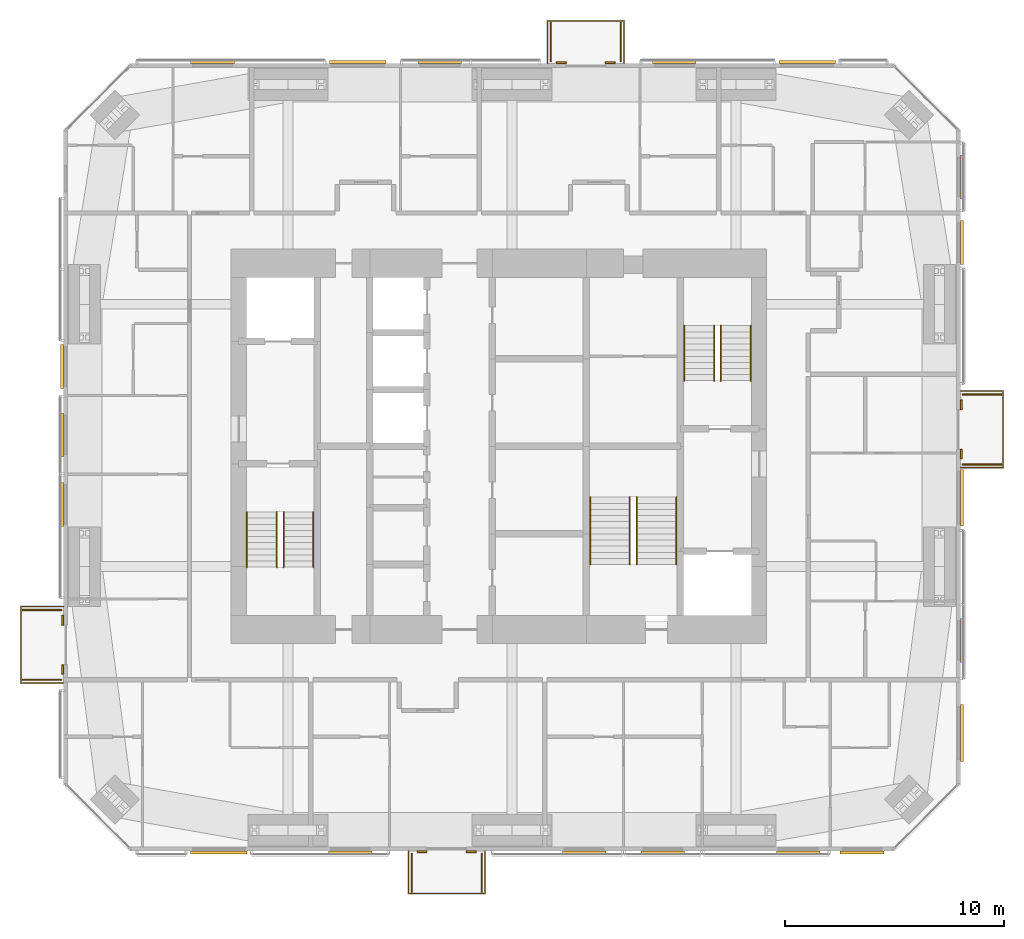
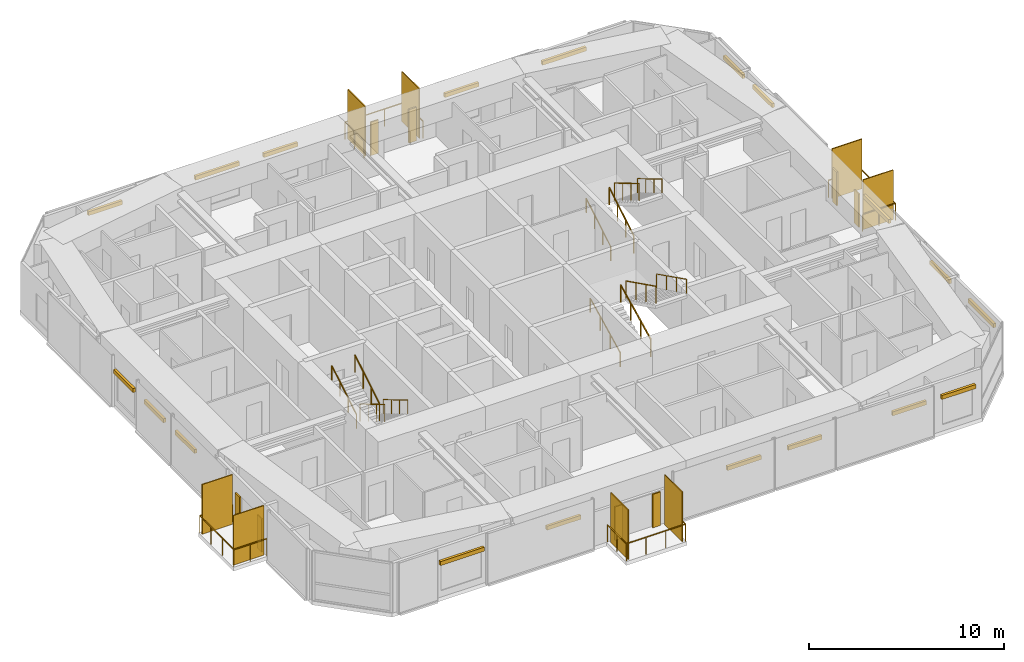
# One storey, part 23 of 23: 35 shading devices, 16 railings.
"""IFC4 building model written with IfcOpenShell, lengths in metres."""

from ifc_helpers import new_model, si_unit, direction, frame, origin, origin_2d, place, context, subcontext, project, spatial, rectangle, circle, extrude, material, layer, layer_set, constituent, constituent_set, type_object, element, save


model = new_model("IFC4")

# Units and contexts
model_context = context("Model", 3, precision=1e-05, world=origin(), true_north=direction((0.0, 1.0)))
body_context = subcontext(model_context, "Body", "Model", "MODEL_VIEW")
ifc_project = project(units=[si_unit("LENGTHUNIT", "METRE"), si_unit("AREAUNIT", "SQUARE_METRE"), si_unit("VOLUMEUNIT", "CUBIC_METRE"), si_unit("PLANEANGLEUNIT", "RADIAN"), si_unit("MASSUNIT", "GRAM", prefix="KILO")], contexts=[model_context])

# Site, building, storey
site_placement = place(None, origin())
site = spatial("IfcSite", under=ifc_project, at=site_placement, CompositionType="ELEMENT")
building_placement = place(site_placement, origin())
building = spatial("IfcBuilding", under=site, at=building_placement, Name="Jalousie Tower", CompositionType="ELEMENT")
storey_placement = place(building_placement, frame((0.0, 0.0, 187.85009765625)))
storey = spatial("IfcBuildingStorey", under=building, at=storey_placement, Name="L51", CompositionType="ELEMENT", Elevation=187.85009765625)

# Shading devices
ifc_material_1 = material(Name="Aluminium impact-rated louvred storm shutter", Category="aluminium")
shading_device_type_1 = type_object("IfcShadingDeviceType", Name="BI-FOLD STORM SHUTTER 900x2100", PredefinedType="SHUTTER", material=ifc_material_1)
for number, where, z_axis, x_axis, name in (
    (1, (28.387451171875, -0.0400390625, -0.000244140625), (0.0, 0.0, 1.0), (1.0, 0.0, 0.0), "Balcony storm shutter L51"),
    (2, (30.637451171875, -0.0400390625, -0.000244140625), (0.0, 0.0, 1.0), (1.0, 0.0, 0.0), "Balcony storm shutter L51"),
    (3, (53.0400390625, 18.14990234375, -0.000244140625), (0.0, 0.0, 1.0), (0.0, 1.0, 0.0), "Balcony storm shutter L51"),
    (4, (53.0400390625, 20.39990234375, -0.000244140625), (0.0, 0.0, 1.0), (0.0, 1.0, 0.0), "Balcony storm shutter L51"),
    (5, (37.0, 36.0400390625, -0.000244140625), (0.0, 0.0, 1.0), (-1.0, 0.0, 0.0), "Balcony storm shutter L51"),
    (6, (34.75, 36.0400390625, -0.000244140625), (0.0, 0.0, 1.0), (-1.0, 0.0, 0.0), "Balcony storm shutter L51"),
    (7, (11.9599609375, 10.550048828125, -0.000244140625), (0.0, 0.0, 1.0), (0.0, -1.0, 0.0), "Balcony storm shutter L51"),
    (8, (11.9599609375, 8.300048828125, -0.000244140625), (0.0, 0.0, 1.0), (0.0, -1.0, 0.0), "Balcony storm shutter L51"),
):
    element("IfcShadingDevice", number, at=place(storey_placement, frame(where, z_axis=z_axis, x_axis=x_axis)), inside=storey, type_object=shading_device_type_1, Name=name, PredefinedType="SHUTTER", context=body_context, shape_type="SweptSolid", body=[
        extrude(rectangle(XDim=0.449951171875, YDim=0.080078125, at=origin_2d()), origin(), (0.0, 0.0, 1.0), 2.10009765625),
    ])

# Railings
ifc_material_2 = material(Name="Powder-coated aluminium fretwork", Category="aluminium")
railing_type_1 = type_object("IfcRailingType", Name="FRETWORK BALUSTRADE 1100", PredefinedType="BALUSTRADE", material=ifc_material_2)
railing_1_placement = place(storey_placement, frame((27.762451171875, 0.0, 0.0)))
element("IfcRailing", 9, at=railing_1_placement, inside=storey, type_object=railing_type_1, Name="Balcony fretwork balustrade L51", PredefinedType="BALUSTRADE", context=body_context, shape_type="SweptSolid", body=[
    extrude(rectangle(XDim=0.048095703125, YDim=0.048095703125, at=origin_2d()), frame((0.0, 0.0, 1.076171875), z_axis=(0.0, -1.0, 0.0), x_axis=(1.0, 0.0, 0.0)), (0.0, 0.0, 1.0), 1.949951171875),
    extrude(rectangle(XDim=0.048095703125, YDim=0.048095703125, at=origin_2d()), frame((0.0, -1.949951171875, 1.076171875), z_axis=(1.0, 0.0, 0.0), x_axis=(0.0, 1.0, 0.0)), (0.0, 0.0, 1.0), 3.5),
    extrude(rectangle(XDim=0.048095703125, YDim=0.048095703125, at=origin_2d()), frame((3.5, -1.949951171875, 1.076171875), z_axis=(0.0, 1.0, 0.0), x_axis=(-1.0, 0.0, 0.0)), (0.0, 0.0, 1.0), 1.949951171875),
    extrude(circle(Radius=0.02099609375, at=origin_2d()), origin(), (0.0, 0.0, 1.0), 1.052001953125),
    extrude(circle(Radius=0.02099609375, at=origin_2d()), frame((0.0, -0.97509765625, 0.0)), (0.0, 0.0, 1.0), 1.052001953125),
    extrude(circle(Radius=0.02099609375, at=origin_2d()), frame((0.0, -1.949951171875, 0.0)), (0.0, 0.0, 1.0), 1.052001953125),
    extrude(circle(Radius=0.02099609375, at=origin_2d()), frame((1.166748046875, -1.949951171875, 0.0)), (0.0, 0.0, 1.0), 1.052001953125),
    extrude(circle(Radius=0.02099609375, at=origin_2d()), frame((2.333251953125, -1.949951171875, 0.0)), (0.0, 0.0, 1.0), 1.052001953125),
    extrude(circle(Radius=0.02099609375, at=origin_2d()), frame((3.5, -1.949951171875, 0.0)), (0.0, 0.0, 1.0), 1.052001953125),
    extrude(circle(Radius=0.02099609375, at=origin_2d()), frame((3.5, -0.97509765625, 0.0)), (0.0, 0.0, 1.0), 1.052001953125),
    extrude(circle(Radius=0.02099609375, at=origin_2d()), frame((3.5, 0.0, 0.0)), (0.0, 0.0, 1.0), 1.052001953125),
])
railing_2_placement = place(storey_placement, frame((53.0, 17.52490234375, 0.0)))
element("IfcRailing", 10, at=railing_2_placement, inside=storey, type_object=railing_type_1, Name="Balcony fretwork balustrade L51", PredefinedType="BALUSTRADE", context=body_context, shape_type="SweptSolid", body=[
    extrude(rectangle(XDim=0.048095703125, YDim=0.048095703125, at=origin_2d()), frame((0.0, 0.0, 1.076171875), z_axis=(1.0, 0.0, 0.0), x_axis=(0.0, 1.0, 0.0)), (0.0, 0.0, 1.0), 1.949951171875),
    extrude(rectangle(XDim=0.048095703125, YDim=0.048095703125, at=origin_2d()), frame((1.949951171875, 0.0, 1.076171875), z_axis=(0.0, 1.0, 0.0), x_axis=(-1.0, 0.0, 0.0)), (0.0, 0.0, 1.0), 3.5),
    extrude(rectangle(XDim=0.048095703125, YDim=0.048095703125, at=origin_2d()), frame((1.949951171875, 3.5, 1.076171875), z_axis=(-1.0, 0.0, 0.0), x_axis=(0.0, -1.0, 0.0)), (0.0, 0.0, 1.0), 1.949951171875),
    extrude(circle(Radius=0.02099609375, at=origin_2d()), origin(), (0.0, 0.0, 1.0), 1.052001953125),
    extrude(circle(Radius=0.02099609375, at=origin_2d()), frame((0.97509765625, 0.0, 0.0)), (0.0, 0.0, 1.0), 1.052001953125),
    extrude(circle(Radius=0.02099609375, at=origin_2d()), frame((1.949951171875, 0.0, 0.0)), (0.0, 0.0, 1.0), 1.052001953125),
    extrude(circle(Radius=0.02099609375, at=origin_2d()), frame((1.949951171875, 1.166748046875, 0.0)), (0.0, 0.0, 1.0), 1.052001953125),
    extrude(circle(Radius=0.02099609375, at=origin_2d()), frame((1.949951171875, 2.333251953125, 0.0)), (0.0, 0.0, 1.0), 1.052001953125),
    extrude(circle(Radius=0.02099609375, at=origin_2d()), frame((1.949951171875, 3.5, 0.0)), (0.0, 0.0, 1.0), 1.052001953125),
    extrude(circle(Radius=0.02099609375, at=origin_2d()), frame((0.97509765625, 3.5, 0.0)), (0.0, 0.0, 1.0), 1.052001953125),
    extrude(circle(Radius=0.02099609375, at=origin_2d()), frame((0.0, 3.5, 0.0)), (0.0, 0.0, 1.0), 1.052001953125),
])
railing_3_placement = place(storey_placement, frame((37.625, 36.0, 0.0)))
element("IfcRailing", 11, at=railing_3_placement, inside=storey, type_object=railing_type_1, Name="Balcony fretwork balustrade L51", PredefinedType="BALUSTRADE", context=body_context, shape_type="SweptSolid", body=[
    extrude(rectangle(XDim=0.048095703125, YDim=0.048095703125, at=origin_2d()), frame((0.0, 0.0, 1.076171875), z_axis=(0.0, 1.0, 0.0), x_axis=(-1.0, 0.0, 0.0)), (0.0, 0.0, 1.0), 1.949951171875),
    extrude(rectangle(XDim=0.048095703125, YDim=0.048095703125, at=origin_2d()), frame((0.0, 1.949951171875, 1.076171875), z_axis=(-1.0, 0.0, 0.0), x_axis=(0.0, -1.0, 0.0)), (0.0, 0.0, 1.0), 3.5),
    extrude(rectangle(XDim=0.048095703125, YDim=0.048095703125, at=origin_2d()), frame((-3.5, 1.949951171875, 1.076171875), z_axis=(0.0, -1.0, 0.0), x_axis=(1.0, 0.0, 0.0)), (0.0, 0.0, 1.0), 1.949951171875),
    extrude(circle(Radius=0.02099609375, at=origin_2d()), origin(), (0.0, 0.0, 1.0), 1.052001953125),
    extrude(circle(Radius=0.02099609375, at=origin_2d()), frame((0.0, 0.97509765625, 0.0)), (0.0, 0.0, 1.0), 1.052001953125),
    extrude(circle(Radius=0.02099609375, at=origin_2d()), frame((0.0, 1.949951171875, 0.0)), (0.0, 0.0, 1.0), 1.052001953125),
    extrude(circle(Radius=0.02099609375, at=origin_2d()), frame((-1.166748046875, 1.949951171875, 0.0)), (0.0, 0.0, 1.0), 1.052001953125),
    extrude(circle(Radius=0.02099609375, at=origin_2d()), frame((-2.333251953125, 1.949951171875, 0.0)), (0.0, 0.0, 1.0), 1.052001953125),
    extrude(circle(Radius=0.02099609375, at=origin_2d()), frame((-3.5, 1.949951171875, 0.0)), (0.0, 0.0, 1.0), 1.052001953125),
    extrude(circle(Radius=0.02099609375, at=origin_2d()), frame((-3.5, 0.97509765625, 0.0)), (0.0, 0.0, 1.0), 1.052001953125),
    extrude(circle(Radius=0.02099609375, at=origin_2d()), frame((-3.5, 0.0, 0.0)), (0.0, 0.0, 1.0), 1.052001953125),
])
railing_4_placement = place(storey_placement, frame((12.0, 11.175048828125, 0.0)))
element("IfcRailing", 12, at=railing_4_placement, inside=storey, type_object=railing_type_1, Name="Balcony fretwork balustrade L51", PredefinedType="BALUSTRADE", context=body_context, shape_type="SweptSolid", body=[
    extrude(rectangle(XDim=0.048095703125, YDim=0.048095703125, at=origin_2d()), frame((0.0, 0.0, 1.076171875), z_axis=(-1.0, 0.0, 0.0), x_axis=(0.0, -1.0, 0.0)), (0.0, 0.0, 1.0), 1.949951171875),
    extrude(rectangle(XDim=0.048095703125, YDim=0.048095703125, at=origin_2d()), frame((-1.949951171875, 0.0, 1.076171875), z_axis=(0.0, -1.0, 0.0), x_axis=(1.0, 0.0, 0.0)), (0.0, 0.0, 1.0), 3.5),
    extrude(rectangle(XDim=0.048095703125, YDim=0.048095703125, at=origin_2d()), frame((-1.949951171875, -3.5, 1.076171875), z_axis=(1.0, 0.0, 0.0), x_axis=(0.0, 1.0, 0.0)), (0.0, 0.0, 1.0), 1.949951171875),
    extrude(circle(Radius=0.02099609375, at=origin_2d()), origin(), (0.0, 0.0, 1.0), 1.052001953125),
    extrude(circle(Radius=0.02099609375, at=origin_2d()), frame((-0.97509765625, 0.0, 0.0)), (0.0, 0.0, 1.0), 1.052001953125),
    extrude(circle(Radius=0.02099609375, at=origin_2d()), frame((-1.949951171875, 0.0, 0.0)), (0.0, 0.0, 1.0), 1.052001953125),
    extrude(circle(Radius=0.02099609375, at=origin_2d()), frame((-1.949951171875, -1.166748046875, 0.0)), (0.0, 0.0, 1.0), 1.052001953125),
    extrude(circle(Radius=0.02099609375, at=origin_2d()), frame((-1.949951171875, -2.333251953125, 0.0)), (0.0, 0.0, 1.0), 1.052001953125),
    extrude(circle(Radius=0.02099609375, at=origin_2d()), frame((-1.949951171875, -3.5, 0.0)), (0.0, 0.0, 1.0), 1.052001953125),
    extrude(circle(Radius=0.02099609375, at=origin_2d()), frame((-0.97509765625, -3.5, 0.0)), (0.0, 0.0, 1.0), 1.052001953125),
    extrude(circle(Radius=0.02099609375, at=origin_2d()), frame((0.0, -3.5, 0.0)), (0.0, 0.0, 1.0), 1.052001953125),
])

# Shading devices
ifc_material_3 = material(Name="Powder-coated aluminium louvres", Category="aluminium")
ifc_layer = layer(ifc_material_3, 0.06005859375)
ifc_layer_set = layer_set([ifc_layer], Name="Powder-coated aluminium louvres")
shading_device_type_2 = type_object("IfcShadingDeviceType", Name="JALOUSIE LOUVRE SCREEN", PredefinedType="JALOUSIE", material=ifc_layer_set)
for number, where, z_axis, x_axis, name in (
    (13, (27.91259765625, -1.0, 0.0), (0.0, 0.0, 1.0), (1.0, 0.0, 0.0), "Jalousie louvre screen L51"),
    (14, (31.112548828125, -1.0, 0.0), (0.0, 0.0, 1.0), (1.0, 0.0, 0.0), "Jalousie louvre screen L51"),
    (15, (54.0, 17.675048828125, 0.0), (0.0, 0.0, 1.0), (0.0, 1.0, 0.0), "Jalousie louvre screen L51"),
    (16, (54.0, 20.875, 0.0), (0.0, 0.0, 1.0), (0.0, 1.0, 0.0), "Jalousie louvre screen L51"),
    (17, (37.47509765625, 37.0, 0.0), (0.0, 0.0, 1.0), (-1.0, 0.0, 0.0), "Jalousie louvre screen L51"),
    (18, (34.27490234375, 37.0, 0.0), (0.0, 0.0, 1.0), (-1.0, 0.0, 0.0), "Jalousie louvre screen L51"),
    (19, (11.0, 11.02490234375, 0.0), (0.0, 0.0, 1.0), (0.0, -1.0, 0.0), "Jalousie louvre screen L51"),
    (20, (11.0, 7.824951171875, 0.0), (0.0, 0.0, 1.0), (0.0, -1.0, 0.0), "Jalousie louvre screen L51"),
):
    element("IfcShadingDevice", number, at=place(storey_placement, frame(where, z_axis=z_axis, x_axis=x_axis)), inside=storey, type_object=shading_device_type_2, Name=name, PredefinedType="JALOUSIE", context=body_context, shape_type="SweptSolid", body=[
        extrude(rectangle(XDim=0.06005859375, YDim=1.800048828125, at=origin_2d()), origin(), (0.0, 0.0, 1.0), 3.110107421875),
    ])

# Railings
ifc_material_4 = material(Name="Steel ASTM A500 Grade C", Category="steel")
ifc_constituent_1 = constituent(ifc_material_4, Name="Body")
ifc_material_5 = material(Name="Hot-dip galvanised zinc coating")
ifc_constituent_2 = constituent(ifc_material_5, Name="Finish")
ifc_constituent_set_1 = constituent_set(constituents=[ifc_constituent_1, ifc_constituent_2])
railing_type_2 = type_object("IfcRailingType", Name="STAIR GUARD 1100", PredefinedType="GUARDRAIL", material=ifc_constituent_set_1)
railing_5_placement = place(storey_placement, frame((22.054931640625, 15.49755859375, 0.16748046875)))
element("IfcRailing", 21, at=railing_5_placement, inside=storey, type_object=railing_type_2, Name="Exit stair A guard L51 flight 1", PredefinedType="GUARDRAIL", context=body_context, shape_type="SweptSolid", body=[
    extrude(rectangle(XDim=0.048095703125, YDim=0.048095703125, at=origin_2d()), frame((0.0, 0.0, 1.076171875), z_axis=(0.0, -0.858196387827, 0.513321497621), x_axis=(1.0, 0.0, 0.0)), (0.0, 0.0, 1.0), 2.9365234375),
    extrude(circle(Radius=0.02099609375, at=origin_2d()), origin(), (0.0, 0.0, 1.0), 1.052001953125),
    extrude(circle(Radius=0.02099609375, at=origin_2d()), frame((0.0, -0.840087890625, 0.50244140625)), (0.0, 0.0, 1.0), 1.052001953125),
    extrude(circle(Radius=0.02099609375, at=origin_2d()), frame((0.0, -1.679931640625, 1.0048828125)), (0.0, 0.0, 1.0), 1.052001953125),
    extrude(circle(Radius=0.02099609375, at=origin_2d()), frame((0.0, -2.52001953125, 1.50732421875)), (0.0, 0.0, 1.0), 1.052001953125),
])
railing_6_placement = place(storey_placement, frame((21.7451171875, 12.9775390625, 1.84228515625)))
element("IfcRailing", 22, at=railing_6_placement, inside=storey, type_object=railing_type_2, Name="Exit stair A guard L51 flight 2", PredefinedType="GUARDRAIL", context=body_context, shape_type="SweptSolid", body=[
    extrude(rectangle(XDim=0.048095703125, YDim=0.048095703125, at=origin_2d()), frame((0.0, 0.0, 1.076171875), z_axis=(0.0, 0.858159760407, 0.513382728203), x_axis=(-1.0, 0.0, 0.0)), (0.0, 0.0, 1.0), 2.9365234375),
    extrude(circle(Radius=0.02099609375, at=origin_2d()), origin(), (0.0, 0.0, 1.0), 1.052001953125),
    extrude(circle(Radius=0.02099609375, at=origin_2d()), frame((0.0, 0.840087890625, 0.50244140625)), (0.0, 0.0, 1.0), 1.052001953125),
    extrude(circle(Radius=0.02099609375, at=origin_2d()), frame((0.0, 1.679931640625, 1.005126953125)), (0.0, 0.0, 1.0), 1.052001953125),
    extrude(circle(Radius=0.02099609375, at=origin_2d()), frame((0.0, 2.52001953125, 1.507568359375)), (0.0, 0.0, 1.0), 1.052001953125),
])
railing_7_placement = place(storey_placement, frame((41.7451171875, 21.50244140625, 0.16748046875)))
element("IfcRailing", 23, at=railing_7_placement, inside=storey, type_object=railing_type_2, Name="Exit stair B guard L51 flight 1", PredefinedType="GUARDRAIL", context=body_context, shape_type="SweptSolid", body=[
    extrude(rectangle(XDim=0.048095703125, YDim=0.048095703125, at=origin_2d()), frame((0.0, 0.0, 1.076171875), z_axis=(0.0, 0.858196387827, 0.513321497621), x_axis=(-1.0, 0.0, 0.0)), (0.0, 0.0, 1.0), 2.9365234375),
    extrude(circle(Radius=0.02099609375, at=origin_2d()), origin(), (0.0, 0.0, 1.0), 1.052001953125),
    extrude(circle(Radius=0.02099609375, at=origin_2d()), frame((0.0, 0.840087890625, 0.50244140625)), (0.0, 0.0, 1.0), 1.052001953125),
    extrude(circle(Radius=0.02099609375, at=origin_2d()), frame((0.0, 1.679931640625, 1.0048828125)), (0.0, 0.0, 1.0), 1.052001953125),
    extrude(circle(Radius=0.02099609375, at=origin_2d()), frame((0.0, 2.52001953125, 1.50732421875)), (0.0, 0.0, 1.0), 1.052001953125),
])
railing_8_placement = place(storey_placement, frame((42.054931640625, 24.0224609375, 1.84228515625)))
element("IfcRailing", 24, at=railing_8_placement, inside=storey, type_object=railing_type_2, Name="Exit stair B guard L51 flight 2", PredefinedType="GUARDRAIL", context=body_context, shape_type="SweptSolid", body=[
    extrude(rectangle(XDim=0.048095703125, YDim=0.048095703125, at=origin_2d()), frame((0.0, 0.0, 1.076171875), z_axis=(0.0, -0.858159760407, 0.513382728203), x_axis=(1.0, 0.0, 0.0)), (0.0, 0.0, 1.0), 2.9365234375),
    extrude(circle(Radius=0.02099609375, at=origin_2d()), origin(), (0.0, 0.0, 1.0), 1.052001953125),
    extrude(circle(Radius=0.02099609375, at=origin_2d()), frame((0.0, -0.840087890625, 0.50244140625)), (0.0, 0.0, 1.0), 1.052001953125),
    extrude(circle(Radius=0.02099609375, at=origin_2d()), frame((0.0, -1.679931640625, 1.005126953125)), (0.0, 0.0, 1.0), 1.052001953125),
    extrude(circle(Radius=0.02099609375, at=origin_2d()), frame((0.0, -2.52001953125, 1.507568359375)), (0.0, 0.0, 1.0), 1.052001953125),
])
railing_9_placement = place(storey_placement, frame((37.89501953125, 13.097412109375, 0.139404296875)))
element("IfcRailing", 25, at=railing_9_placement, inside=storey, type_object=railing_type_2, Name="Exit stair C guard L51 flight 1", PredefinedType="GUARDRAIL", context=body_context, shape_type="SweptSolid", body=[
    extrude(rectangle(XDim=0.048095703125, YDim=0.048095703125, at=origin_2d()), frame((0.0, 0.0, 1.076171875), z_axis=(0.0, 0.894965676997, 0.446134998624), x_axis=(-1.0, 0.0, 0.0)), (0.0, 0.0, 1.0), 3.441650390625),
    extrude(circle(Radius=0.02099609375, at=origin_2d()), origin(), (0.0, 0.0, 1.0), 1.052001953125),
    extrude(circle(Radius=0.02099609375, at=origin_2d()), frame((0.0, 1.026611328125, 0.51171875)), (0.0, 0.0, 1.0), 1.052001953125),
    extrude(circle(Radius=0.02099609375, at=origin_2d()), frame((0.0, 2.053466796875, 1.023681640625)), (0.0, 0.0, 1.0), 1.052001953125),
    extrude(circle(Radius=0.02099609375, at=origin_2d()), frame((0.0, 3.080078125, 1.535400390625)), (0.0, 0.0, 1.0), 1.052001953125),
])
railing_10_placement = place(storey_placement, frame((38.205078125, 16.177490234375, 1.814453125)))
element("IfcRailing", 26, at=railing_10_placement, inside=storey, type_object=railing_type_2, Name="Exit stair C guard L51 flight 2", PredefinedType="GUARDRAIL", context=body_context, shape_type="SweptSolid", body=[
    extrude(rectangle(XDim=0.048095703125, YDim=0.048095703125, at=origin_2d()), frame((0.0, 0.0, 1.076171875), z_axis=(0.0, -0.894965676997, 0.446134998624), x_axis=(1.0, 0.0, 0.0)), (0.0, 0.0, 1.0), 3.441650390625),
    extrude(circle(Radius=0.02099609375, at=origin_2d()), origin(), (0.0, 0.0, 1.0), 1.052001953125),
    extrude(circle(Radius=0.02099609375, at=origin_2d()), frame((0.0, -1.026611328125, 0.51171875)), (0.0, 0.0, 1.0), 1.052001953125),
    extrude(circle(Radius=0.02099609375, at=origin_2d()), frame((0.0, -2.053466796875, 1.023681640625)), (0.0, 0.0, 1.0), 1.052001953125),
    extrude(circle(Radius=0.02099609375, at=origin_2d()), frame((0.0, -3.080078125, 1.535400390625)), (0.0, 0.0, 1.0), 1.052001953125),
])
ifc_material_6 = material(Name="Steel ASTM A500 Grade C", Category="steel")
ifc_constituent_3 = constituent(ifc_material_6, Name="Body")
ifc_material_7 = material(Name="Hot-dip galvanised zinc coating")
ifc_constituent_4 = constituent(ifc_material_7, Name="Finish")
ifc_constituent_set_2 = constituent_set(constituents=[ifc_constituent_3, ifc_constituent_4])
railing_type_3 = type_object("IfcRailingType", Name="STAIR HANDRAIL 900", PredefinedType="HANDRAIL", material=ifc_constituent_set_2)
railing_11_placement = place(storey_placement, frame((23.419921875, 15.49755859375, 0.16748046875)))
element("IfcRailing", 27, at=railing_11_placement, inside=storey, type_object=railing_type_3, Name="Exit stair A handrail L51 flight 1", PredefinedType="HANDRAIL", context=body_context, shape_type="SweptSolid", body=[
    extrude(circle(Radius=0.02392578125, at=origin_2d()), frame((0.0, 0.0, 0.8759765625), z_axis=(0.0, -0.858196387827, 0.513321497621), x_axis=(1.0, 0.0, 0.0)), (0.0, 0.0, 1.0), 2.9365234375),
    extrude(circle(Radius=0.02099609375, at=origin_2d()), origin(), (0.0, 0.0, 1.0), 0.851806640625),
    extrude(circle(Radius=0.02099609375, at=origin_2d()), frame((0.0, -0.840087890625, 0.50244140625)), (0.0, 0.0, 1.0), 0.851806640625),
    extrude(circle(Radius=0.02099609375, at=origin_2d()), frame((0.0, -1.679931640625, 1.0048828125)), (0.0, 0.0, 1.0), 0.851806640625),
    extrude(circle(Radius=0.02099609375, at=origin_2d()), frame((0.0, -2.52001953125, 1.50732421875)), (0.0, 0.0, 1.0), 0.851806640625),
])
railing_12_placement = place(storey_placement, frame((20.3798828125, 12.9775390625, 1.84228515625)))
element("IfcRailing", 28, at=railing_12_placement, inside=storey, type_object=railing_type_3, Name="Exit stair A handrail L51 flight 2", PredefinedType="HANDRAIL", context=body_context, shape_type="SweptSolid", body=[
    extrude(circle(Radius=0.02392578125, at=origin_2d()), frame((0.0, 0.0, 0.8759765625), z_axis=(0.0, 0.858159760407, 0.513382728203), x_axis=(-1.0, 0.0, 0.0)), (0.0, 0.0, 1.0), 2.9365234375),
    extrude(circle(Radius=0.02099609375, at=origin_2d()), origin(), (0.0, 0.0, 1.0), 0.851806640625),
    extrude(circle(Radius=0.02099609375, at=origin_2d()), frame((0.0, 0.840087890625, 0.50244140625)), (0.0, 0.0, 1.0), 0.851806640625),
    extrude(circle(Radius=0.02099609375, at=origin_2d()), frame((0.0, 1.679931640625, 1.005126953125)), (0.0, 0.0, 1.0), 0.851806640625),
    extrude(circle(Radius=0.02099609375, at=origin_2d()), frame((0.0, 2.52001953125, 1.507568359375)), (0.0, 0.0, 1.0), 0.851806640625),
])
railing_13_placement = place(storey_placement, frame((40.3798828125, 21.50244140625, 0.16748046875)))
element("IfcRailing", 29, at=railing_13_placement, inside=storey, type_object=railing_type_3, Name="Exit stair B handrail L51 flight 1", PredefinedType="HANDRAIL", context=body_context, shape_type="SweptSolid", body=[
    extrude(circle(Radius=0.02392578125, at=origin_2d()), frame((0.0, 0.0, 0.8759765625), z_axis=(0.0, 0.858196387827, 0.513321497621), x_axis=(-1.0, 0.0, 0.0)), (0.0, 0.0, 1.0), 2.9365234375),
    extrude(circle(Radius=0.02099609375, at=origin_2d()), origin(), (0.0, 0.0, 1.0), 0.851806640625),
    extrude(circle(Radius=0.02099609375, at=origin_2d()), frame((0.0, 0.840087890625, 0.50244140625)), (0.0, 0.0, 1.0), 0.851806640625),
    extrude(circle(Radius=0.02099609375, at=origin_2d()), frame((0.0, 1.679931640625, 1.0048828125)), (0.0, 0.0, 1.0), 0.851806640625),
    extrude(circle(Radius=0.02099609375, at=origin_2d()), frame((0.0, 2.52001953125, 1.50732421875)), (0.0, 0.0, 1.0), 0.851806640625),
])
railing_14_placement = place(storey_placement, frame((43.419921875, 24.0224609375, 1.84228515625)))
element("IfcRailing", 30, at=railing_14_placement, inside=storey, type_object=railing_type_3, Name="Exit stair B handrail L51 flight 2", PredefinedType="HANDRAIL", context=body_context, shape_type="SweptSolid", body=[
    extrude(circle(Radius=0.02392578125, at=origin_2d()), frame((0.0, 0.0, 0.8759765625), z_axis=(0.0, -0.858159760407, 0.513382728203), x_axis=(1.0, 0.0, 0.0)), (0.0, 0.0, 1.0), 2.9365234375),
    extrude(circle(Radius=0.02099609375, at=origin_2d()), origin(), (0.0, 0.0, 1.0), 0.851806640625),
    extrude(circle(Radius=0.02099609375, at=origin_2d()), frame((0.0, -0.840087890625, 0.50244140625)), (0.0, 0.0, 1.0), 0.851806640625),
    extrude(circle(Radius=0.02099609375, at=origin_2d()), frame((0.0, -1.679931640625, 1.005126953125)), (0.0, 0.0, 1.0), 0.851806640625),
    extrude(circle(Radius=0.02099609375, at=origin_2d()), frame((0.0, -2.52001953125, 1.507568359375)), (0.0, 0.0, 1.0), 0.851806640625),
])
railing_15_placement = place(storey_placement, frame((36.080078125, 13.097412109375, 0.139404296875)))
element("IfcRailing", 31, at=railing_15_placement, inside=storey, type_object=railing_type_3, Name="Exit stair C handrail L51 flight 1", PredefinedType="HANDRAIL", context=body_context, shape_type="SweptSolid", body=[
    extrude(circle(Radius=0.02392578125, at=origin_2d()), frame((0.0, 0.0, 0.8759765625), z_axis=(0.0, 0.894965676997, 0.446134998624), x_axis=(-1.0, 0.0, 0.0)), (0.0, 0.0, 1.0), 3.441650390625),
    extrude(circle(Radius=0.02099609375, at=origin_2d()), origin(), (0.0, 0.0, 1.0), 0.851806640625),
    extrude(circle(Radius=0.02099609375, at=origin_2d()), frame((0.0, 1.026611328125, 0.51171875)), (0.0, 0.0, 1.0), 0.851806640625),
    extrude(circle(Radius=0.02099609375, at=origin_2d()), frame((0.0, 2.053466796875, 1.023681640625)), (0.0, 0.0, 1.0), 0.851806640625),
    extrude(circle(Radius=0.02099609375, at=origin_2d()), frame((0.0, 3.080078125, 1.535400390625)), (0.0, 0.0, 1.0), 0.851806640625),
])
railing_16_placement = place(storey_placement, frame((40.02001953125, 16.177490234375, 1.814453125)))
element("IfcRailing", 32, at=railing_16_placement, inside=storey, type_object=railing_type_3, Name="Exit stair C handrail L51 flight 2", PredefinedType="HANDRAIL", context=body_context, shape_type="SweptSolid", body=[
    extrude(circle(Radius=0.02392578125, at=origin_2d()), frame((0.0, 0.0, 0.8759765625), z_axis=(0.0, -0.894965676997, 0.446134998624), x_axis=(1.0, 0.0, 0.0)), (0.0, 0.0, 1.0), 3.441650390625),
    extrude(circle(Radius=0.02099609375, at=origin_2d()), origin(), (0.0, 0.0, 1.0), 0.851806640625),
    extrude(circle(Radius=0.02099609375, at=origin_2d()), frame((0.0, -1.026611328125, 0.51171875)), (0.0, 0.0, 1.0), 0.851806640625),
    extrude(circle(Radius=0.02099609375, at=origin_2d()), frame((0.0, -2.053466796875, 1.023681640625)), (0.0, 0.0, 1.0), 0.851806640625),
    extrude(circle(Radius=0.02099609375, at=origin_2d()), frame((0.0, -3.080078125, 1.535400390625)), (0.0, 0.0, 1.0), 0.851806640625),
])

# Shading devices
ifc_material_8 = material(Name="Aluminium roller storm shutter", Category="aluminium")
shading_device_type_3 = type_object("IfcShadingDeviceType", Name="STORM SHUTTER HOUSING", PredefinedType="SHUTTER", material=ifc_material_8)
shading_device_1_placement = place(storey_placement, frame((19.09130859375, -0.074951171875, 2.099853515625), z_axis=(0.0, 0.0, 1.0), x_axis=(1.0, 0.0, 0.0)))
element("IfcShadingDevice", 33, at=shading_device_1_placement, inside=storey, type_object=shading_device_type_3, Name="Storm shutter L51", PredefinedType="SHUTTER", context=body_context, shape_type="SweptSolid", body=[
    extrude(rectangle(XDim=2.60009765625, YDim=0.14990234375, at=origin_2d()), origin(), (0.0, 0.0, 1.0), 0.25),
])
for number, where, z_axis, x_axis, name in (
    (34, (25.10009765625, -0.074951171875, 2.099853515625), (0.0, 0.0, 1.0), (1.0, 0.0, 0.0), "Storm shutter L51"),
    (35, (35.800048828125, -0.074951171875, 2.099853515625), (0.0, 0.0, 1.0), (1.0, 0.0, 0.0), "Storm shutter L51"),
    (36, (39.39990234375, -0.074951171875, 2.099853515625), (0.0, 0.0, 1.0), (1.0, 0.0, 0.0), "Storm shutter L51"),
    (37, (45.58740234375, -0.074951171875, 2.099853515625), (0.0, 0.0, 1.0), (1.0, 0.0, 0.0), "Storm shutter L51"),
    (38, (48.510986328125, -0.074951171875, 2.099853515625), (0.0, 0.0, 1.0), (1.0, 0.0, 0.0), "Storm shutter L51"),
):
    element("IfcShadingDevice", number, at=place(storey_placement, frame(where, z_axis=z_axis, x_axis=x_axis)), inside=storey, type_object=shading_device_type_3, Name=name, PredefinedType="SHUTTER", context=body_context, shape_type="SweptSolid", body=[
        extrude(rectangle(XDim=2.0, YDim=0.14990234375, at=origin_2d()), origin(), (0.0, 0.0, 1.0), 0.25),
    ])
shading_device_2_placement = place(storey_placement, frame((53.074951171875, 5.38818359375, 2.099853515625), z_axis=(0.0, 0.0, 1.0), x_axis=(0.0, 1.0, 0.0)))
element("IfcShadingDevice", 39, at=shading_device_2_placement, inside=storey, type_object=shading_device_type_3, Name="Storm shutter L51", PredefinedType="SHUTTER", context=body_context, shape_type="SweptSolid", body=[
    extrude(rectangle(XDim=2.60009765625, YDim=0.14990234375, at=origin_2d()), origin(), (0.0, 0.0, 1.0), 0.25),
])
shading_device_3_placement = place(storey_placement, frame((53.074951171875, 9.625, 2.099853515625), z_axis=(0.0, 0.0, 1.0), x_axis=(0.0, 1.0, 0.0)))
element("IfcShadingDevice", 40, at=shading_device_3_placement, inside=storey, type_object=shading_device_type_3, Name="Storm shutter L51", PredefinedType="SHUTTER", context=body_context, shape_type="SweptSolid", body=[
    extrude(rectangle(XDim=2.0, YDim=0.14990234375, at=origin_2d()), origin(), (0.0, 0.0, 1.0), 0.25),
])
shading_device_4_placement = place(storey_placement, frame((53.074951171875, 16.153076171875, 2.099853515625), z_axis=(0.0, 0.0, 1.0), x_axis=(0.0, 1.0, 0.0)))
element("IfcShadingDevice", 41, at=shading_device_4_placement, inside=storey, type_object=shading_device_type_3, Name="Storm shutter L51", PredefinedType="SHUTTER", context=body_context, shape_type="SweptSolid", body=[
    extrude(rectangle(XDim=2.60009765625, YDim=0.14990234375, at=origin_2d()), origin(), (0.0, 0.0, 1.0), 0.25),
])
for number, where, z_axis, x_axis, name in (
    (42, (53.074951171875, 27.824951171875, 2.099853515625), (0.0, 0.0, 1.0), (0.0, 1.0, 0.0), "Storm shutter L51"),
    (43, (53.074951171875, 30.822509765625, 2.099853515625), (0.0, 0.0, 1.0), (0.0, 1.0, 0.0), "Storm shutter L51"),
):
    element("IfcShadingDevice", number, at=place(storey_placement, frame(where, z_axis=z_axis, x_axis=x_axis)), inside=storey, type_object=shading_device_type_3, Name=name, PredefinedType="SHUTTER", context=body_context, shape_type="SweptSolid", body=[
        extrude(rectangle(XDim=2.0, YDim=0.14990234375, at=origin_2d()), origin(), (0.0, 0.0, 1.0), 0.25),
    ])
shading_device_5_placement = place(storey_placement, frame((45.99951171875, 36.074951171875, 2.099853515625), z_axis=(0.0, 0.0, 1.0), x_axis=(-1.0, 0.0, 0.0)))
element("IfcShadingDevice", 44, at=shading_device_5_placement, inside=storey, type_object=shading_device_type_3, Name="Storm shutter L51", PredefinedType="SHUTTER", context=body_context, shape_type="SweptSolid", body=[
    extrude(rectangle(XDim=2.60009765625, YDim=0.14990234375, at=origin_2d()), origin(), (0.0, 0.0, 1.0), 0.25),
])
for number, where, z_axis, x_axis, name in (
    (45, (39.925048828125, 36.074951171875, 2.099853515625), (0.0, 0.0, 1.0), (-1.0, 0.0, 0.0), "Storm shutter L51"),
    (46, (29.199951171875, 36.074951171875, 2.099853515625), (0.0, 0.0, 1.0), (-1.0, 0.0, 0.0), "Storm shutter L51"),
):
    element("IfcShadingDevice", number, at=place(storey_placement, frame(where, z_axis=z_axis, x_axis=x_axis)), inside=storey, type_object=shading_device_type_3, Name=name, PredefinedType="SHUTTER", context=body_context, shape_type="SweptSolid", body=[
        extrude(rectangle(XDim=2.0, YDim=0.14990234375, at=origin_2d()), origin(), (0.0, 0.0, 1.0), 0.25),
    ])
shading_device_6_placement = place(storey_placement, frame((25.445068359375, 36.074951171875, 2.099853515625), z_axis=(0.0, 0.0, 1.0), x_axis=(-1.0, 0.0, 0.0)))
element("IfcShadingDevice", 47, at=shading_device_6_placement, inside=storey, type_object=shading_device_type_3, Name="Storm shutter L51", PredefinedType="SHUTTER", context=body_context, shape_type="SweptSolid", body=[
    extrude(rectangle(XDim=2.60009765625, YDim=0.14990234375, at=origin_2d()), origin(), (0.0, 0.0, 1.0), 0.25),
])
for number, where, z_axis, x_axis, name in (
    (48, (18.800048828125, 36.074951171875, 2.099853515625), (0.0, 0.0, 1.0), (-1.0, 0.0, 0.0), "Storm shutter L51"),
    (49, (11.925048828125, 22.150146484375, 2.099853515625), (0.0, 0.0, 1.0), (0.0, -1.0, 0.0), "Storm shutter L51"),
    (50, (11.925048828125, 19.02490234375, 2.099853515625), (0.0, 0.0, 1.0), (0.0, -1.0, 0.0), "Storm shutter L51"),
    (51, (11.925048828125, 15.847412109375, 2.099853515625), (0.0, 0.0, 1.0), (0.0, -1.0, 0.0), "Storm shutter L51"),
):
    element("IfcShadingDevice", number, at=place(storey_placement, frame(where, z_axis=z_axis, x_axis=x_axis)), inside=storey, type_object=shading_device_type_3, Name=name, PredefinedType="SHUTTER", context=body_context, shape_type="SweptSolid", body=[
        extrude(rectangle(XDim=2.0, YDim=0.14990234375, at=origin_2d()), origin(), (0.0, 0.0, 1.0), 0.25),
    ])

save(model, "model.ifc")
